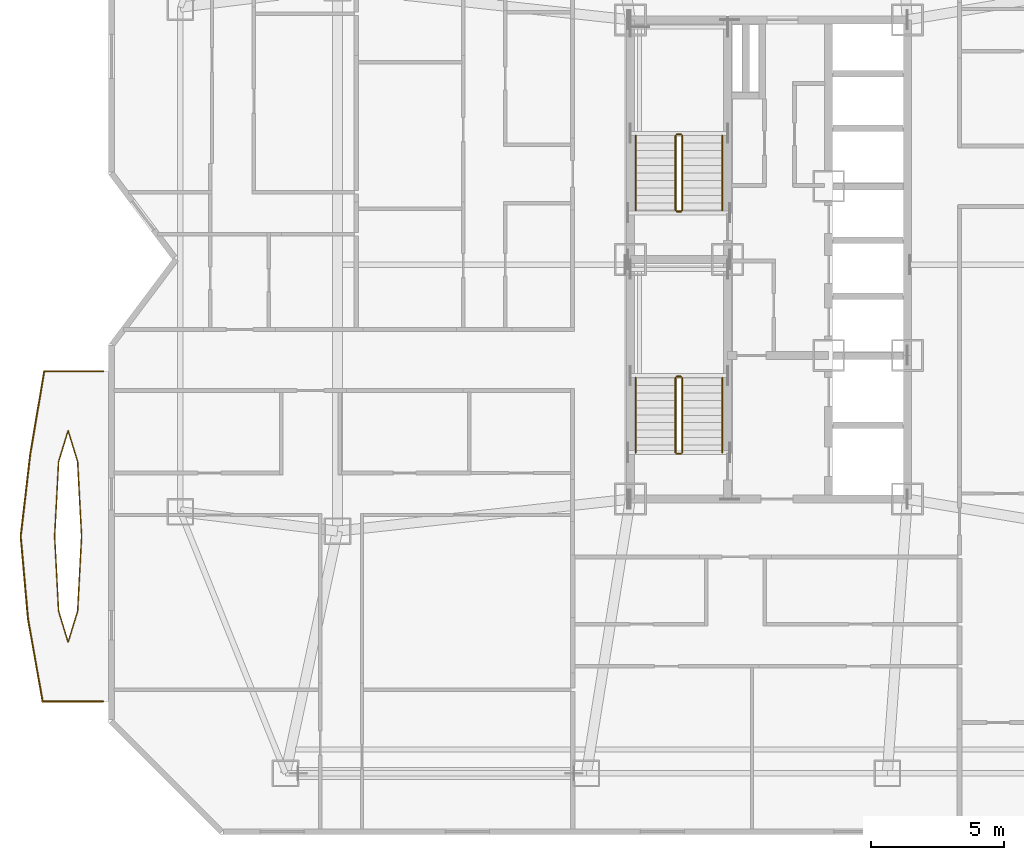
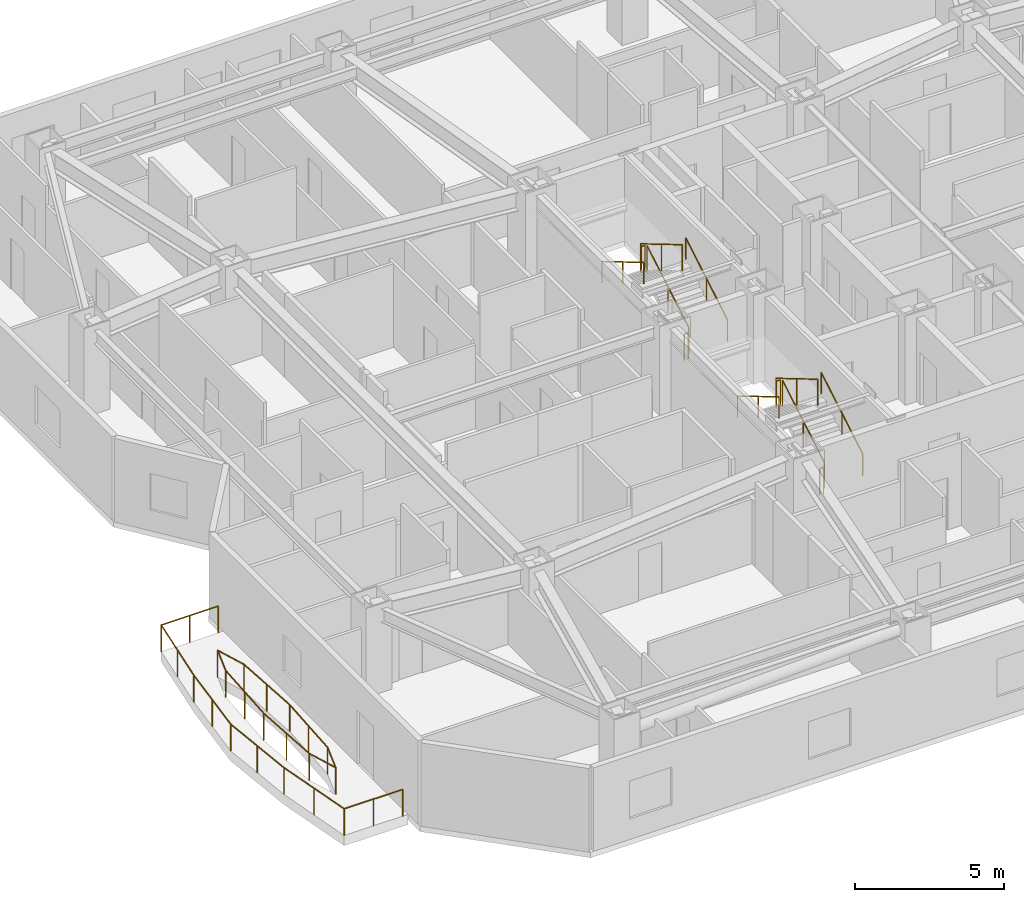
# One storey, part 14 of 15: 16 railings.
"""IFC4 building model written with IfcOpenShell, lengths in metres."""

from ifc_helpers import new_model, si_unit, direction, frame, origin, origin_2d, place, context, subcontext, project, spatial, circle, extrude, material, type_object, element, save


model = new_model("IFC4")

# Units and contexts
model_context = context("Model", 3, precision=1e-05, world=origin(), true_north=direction((0.0, 1.0)))
body_context = subcontext(model_context, "Body", "Model", "MODEL_VIEW")
ifc_project = project(units=[si_unit("LENGTHUNIT", "METRE"), si_unit("AREAUNIT", "SQUARE_METRE"), si_unit("VOLUMEUNIT", "CUBIC_METRE"), si_unit("PLANEANGLEUNIT", "RADIAN"), si_unit("MASSUNIT", "GRAM", prefix="KILO")], contexts=[model_context])

# Site, building, storey
site_placement = place(None, origin())
site = spatial("IfcSite", under=ifc_project, at=site_placement, CompositionType="ELEMENT")
building_placement = place(site_placement, origin())
building = spatial("IfcBuilding", under=site, at=building_placement, Name="Khamvora Tower", CompositionType="ELEMENT")
storey_placement = place(building_placement, frame((0.0, 0.0, 112.85009765625)))
storey = spatial("IfcBuildingStorey", under=building, at=storey_placement, Name="L28", CompositionType="ELEMENT", Elevation=112.85009765625)

# Railings
ifc_material_1 = material(Name="Stainless Steel 316 and Laminated Glass", Category="steel")
railing_type_1 = type_object("IfcRailingType", Name="RAL-GAL-1120", PredefinedType="GUARDRAIL", material=ifc_material_1)
railing_1_placement = place(storey_placement, frame((9.199951171875, 11.39990234375, 0.0)))
element("IfcRailing", 1, at=railing_1_placement, inside=storey, type_object=railing_type_1, Name="L28 lens gallery south perimeter guardrail WL1", PredefinedType="GUARDRAIL", context=body_context, shape_type="SweptSolid", body=[
    extrude(circle(Radius=0.02392578125, at=origin_2d()), frame((0.0, 0.0, 1.09619140625), z_axis=(-1.0, 0.0, 0.0), x_axis=(0.0, -1.0, 0.0)), (0.0, 0.0, 1.0), 2.27294921875),
    extrude(circle(Radius=0.02392578125, at=origin_2d()), frame((-2.27294921875, 0.0, 1.09619140625), z_axis=(-0.17470092463, 0.984621545028, 0.0), x_axis=(-0.984621545028, -0.17470092463, 0.0)), (0.0, 0.0, 1.0), 3.1484375),
    extrude(circle(Radius=0.02392578125, at=origin_2d()), frame((-2.822998046875, 3.10009765625, 1.09619140625), z_axis=(-0.088328783079, 0.996091374363, 0.0), x_axis=(-0.996091374363, -0.088328783079, 0.0)), (0.0, 0.0, 1.0), 3.1123046875),
    extrude(circle(Radius=0.02099609375, at=origin_2d()), origin(), (0.0, 0.0, 1.0), 1.072021484375),
    extrude(circle(Radius=0.02099609375, at=origin_2d()), frame((-1.136474609375, 0.0, 0.0)), (0.0, 0.0, 1.0), 1.072021484375),
    extrude(circle(Radius=0.02099609375, at=origin_2d()), frame((-2.27294921875, 0.0, 0.0)), (0.0, 0.0, 1.0), 1.072021484375),
    extrude(circle(Radius=0.02099609375, at=origin_2d()), frame((-2.5478515625, 1.550048828125, 0.0)), (0.0, 0.0, 1.0), 1.072021484375),
    extrude(circle(Radius=0.02099609375, at=origin_2d()), frame((-2.822998046875, 3.10009765625, 0.0)), (0.0, 0.0, 1.0), 1.072021484375),
    extrude(circle(Radius=0.02099609375, at=origin_2d()), frame((-2.96044921875, 4.650146484375, 0.0)), (0.0, 0.0, 1.0), 1.072021484375),
    extrude(circle(Radius=0.02099609375, at=origin_2d()), frame((-3.097900390625, 6.2001953125, 0.0)), (0.0, 0.0, 1.0), 1.072021484375),
])
railing_2_placement = place(storey_placement, frame((6.10205078125, 17.60009765625, 0.0)))
element("IfcRailing", 2, at=railing_2_placement, inside=storey, type_object=railing_type_1, Name="L28 lens gallery north perimeter guardrail WL1", PredefinedType="GUARDRAIL", context=body_context, shape_type="SweptSolid", body=[
    extrude(circle(Radius=0.02392578125, at=origin_2d()), frame((0.0, 0.0, 1.09619140625), z_axis=(0.115315959955, 0.993328862653, 0.0), x_axis=(-0.993328862653, 0.115315959955, 0.0)), (0.0, 0.0, 1.0), 3.12060546875),
    extrude(circle(Radius=0.02392578125, at=origin_2d()), frame((0.35986328125, 3.099853515625, 1.09619140625), z_axis=(0.166715454469, 0.986005049298, 0.0), x_axis=(-0.986005049298, 0.166715454469, 0.0)), (0.0, 0.0, 1.0), 3.14404296875),
    extrude(circle(Radius=0.02392578125, at=origin_2d()), frame((0.884033203125, 6.199951171875, 1.09619140625), z_axis=(1.0, 0.0, 0.0), x_axis=(0.0, 1.0, 0.0)), (0.0, 0.0, 1.0), 2.2138671875),
    extrude(circle(Radius=0.02099609375, at=origin_2d()), origin(), (0.0, 0.0, 1.0), 1.072021484375),
    extrude(circle(Radius=0.02099609375, at=origin_2d()), frame((0.179931640625, 1.5498046875, 0.0)), (0.0, 0.0, 1.0), 1.072021484375),
    extrude(circle(Radius=0.02099609375, at=origin_2d()), frame((0.35986328125, 3.099853515625, 0.0)), (0.0, 0.0, 1.0), 1.072021484375),
    extrude(circle(Radius=0.02099609375, at=origin_2d()), frame((0.6220703125, 4.64990234375, 0.0)), (0.0, 0.0, 1.0), 1.072021484375),
    extrude(circle(Radius=0.02099609375, at=origin_2d()), frame((0.884033203125, 6.199951171875, 0.0)), (0.0, 0.0, 1.0), 1.072021484375),
    extrude(circle(Radius=0.02099609375, at=origin_2d()), frame((1.990966796875, 6.199951171875, 0.0)), (0.0, 0.0, 1.0), 1.072021484375),
    extrude(circle(Radius=0.02099609375, at=origin_2d()), frame((3.097900390625, 6.199951171875, 0.0)), (0.0, 0.0, 1.0), 1.072021484375),
])
railing_3_placement = place(storey_placement, frame((8.388916015625, 17.60009765625, 0.0)))
element("IfcRailing", 3, at=railing_3_placement, inside=storey, type_object=railing_type_1, Name="L28 lens gallery void guardrail WL1A", PredefinedType="GUARDRAIL", context=body_context, shape_type="SweptSolid", body=[
    extrude(circle(Radius=0.02392578125, at=origin_2d()), frame((0.0, 0.0, 1.09619140625), z_axis=(-0.052654602562, 0.998612784231, 0.0), x_axis=(-0.998612784231, -0.052654602562, 0.0)), (0.0, 0.0, 1.0), 2.809814453125),
    extrude(circle(Radius=0.02392578125, at=origin_2d()), frame((-0.14794921875, 2.805908203125, 1.09619140625), z_axis=(-0.292871691974, 0.956151751575, 0.0), x_axis=(-0.956151751575, -0.292871691974, 0.0)), (0.0, 0.0, 1.0), 1.21533203125),
    extrude(circle(Radius=0.02392578125, at=origin_2d()), frame((-0.50390625, 3.968017578125, 1.09619140625), z_axis=(-0.292871691974, -0.956151751575, 0.0), x_axis=(0.956151751575, -0.292871691974, 0.0)), (0.0, 0.0, 1.0), 1.21533203125),
    extrude(circle(Radius=0.02392578125, at=origin_2d()), frame((-0.85986328125, 2.805908203125, 1.09619140625), z_axis=(-0.052654602562, -0.998612784231, 0.0), x_axis=(0.998612784231, -0.052654602562, 0.0)), (0.0, 0.0, 1.0), 2.809814453125),
    extrude(circle(Radius=0.02099609375, at=origin_2d()), origin(), (0.0, 0.0, 1.0), 1.072021484375),
    extrude(circle(Radius=0.02099609375, at=origin_2d()), frame((-0.073974609375, 1.40283203125, 0.0)), (0.0, 0.0, 1.0), 1.072021484375),
    extrude(circle(Radius=0.02099609375, at=origin_2d()), frame((-0.14794921875, 2.805908203125, 0.0)), (0.0, 0.0, 1.0), 1.072021484375),
    extrude(circle(Radius=0.02099609375, at=origin_2d()), frame((-0.50390625, 3.968017578125, 0.0)), (0.0, 0.0, 1.0), 1.072021484375),
    extrude(circle(Radius=0.02099609375, at=origin_2d()), frame((-0.85986328125, 2.805908203125, 0.0)), (0.0, 0.0, 1.0), 1.072021484375),
    extrude(circle(Radius=0.02099609375, at=origin_2d()), frame((-0.933837890625, 1.40283203125, 0.0)), (0.0, 0.0, 1.0), 1.072021484375),
    extrude(circle(Radius=0.02099609375, at=origin_2d()), frame((-1.0078125, 0.0, 0.0)), (0.0, 0.0, 1.0), 1.072021484375),
])
railing_4_placement = place(storey_placement, frame((7.381103515625, 17.60009765625, 0.0)))
element("IfcRailing", 4, at=railing_4_placement, inside=storey, type_object=railing_type_1, Name="L28 lens gallery void guardrail WL1B", PredefinedType="GUARDRAIL", context=body_context, shape_type="SweptSolid", body=[
    extrude(circle(Radius=0.02392578125, at=origin_2d()), frame((0.0, 0.0, 1.09619140625), z_axis=(0.05265003421, -0.998613025099, 0.0), x_axis=(0.998613025099, 0.05265003421, 0.0)), (0.0, 0.0, 1.0), 2.81005859375),
    extrude(circle(Radius=0.02392578125, at=origin_2d()), frame((0.14794921875, -2.80615234375, 1.09619140625), z_axis=(0.292927952476, -0.956134517031, 0.0), x_axis=(0.956134517031, 0.292927952476, 0.0)), (0.0, 0.0, 1.0), 1.215087890625),
    extrude(circle(Radius=0.02392578125, at=origin_2d()), frame((0.50390625, -3.968017578125, 1.09619140625), z_axis=(0.292927952476, 0.956134517031, 0.0), x_axis=(-0.956134517031, 0.292927952476, 0.0)), (0.0, 0.0, 1.0), 1.215087890625),
    extrude(circle(Radius=0.02392578125, at=origin_2d()), frame((0.85986328125, -2.80615234375, 1.09619140625), z_axis=(0.05265003421, 0.998613025099, 0.0), x_axis=(-0.998613025099, 0.05265003421, 0.0)), (0.0, 0.0, 1.0), 2.81005859375),
    extrude(circle(Radius=0.02099609375, at=origin_2d()), origin(), (0.0, 0.0, 1.0), 1.072021484375),
    extrude(circle(Radius=0.02099609375, at=origin_2d()), frame((0.073974609375, -1.403076171875, 0.0)), (0.0, 0.0, 1.0), 1.072021484375),
    extrude(circle(Radius=0.02099609375, at=origin_2d()), frame((0.14794921875, -2.80615234375, 0.0)), (0.0, 0.0, 1.0), 1.072021484375),
    extrude(circle(Radius=0.02099609375, at=origin_2d()), frame((0.50390625, -3.968017578125, 0.0)), (0.0, 0.0, 1.0), 1.072021484375),
    extrude(circle(Radius=0.02099609375, at=origin_2d()), frame((0.85986328125, -2.80615234375, 0.0)), (0.0, 0.0, 1.0), 1.072021484375),
    extrude(circle(Radius=0.02099609375, at=origin_2d()), frame((0.933837890625, -1.403076171875, 0.0)), (0.0, 0.0, 1.0), 1.072021484375),
    extrude(circle(Radius=0.02099609375, at=origin_2d()), frame((1.0078125, 0.0, 0.0)), (0.0, 0.0, 1.0), 1.072021484375),
])
ifc_material_2 = material(Name="Brushed Stainless Steel 316", Category="steel")
railing_type_2 = type_object("IfcRailingType", Name="RAL-HDR-920", PredefinedType="HANDRAIL", material=ifc_material_2)
railing_5_placement = place(storey_placement, frame((32.449951171875, 20.75, 0.165771484375)))
element("IfcRailing", 5, at=railing_5_placement, inside=storey, type_object=railing_type_2, Name="L28 ST-01 stair handrail 1", PredefinedType="HANDRAIL", context=body_context, shape_type="SweptSolid", body=[
    extrude(circle(Radius=0.02392578125, at=origin_2d()), frame((0.0, 0.0, 0.8759765625), z_axis=(0.0, 0.860306154799, 0.50977771628), x_axis=(-1.0, 0.0, 0.0)), (0.0, 0.0, 1.0), 3.254638671875),
    extrude(circle(Radius=0.02099609375, at=origin_2d()), origin(), (0.0, 0.0, 1.0), 0.851806640625),
    extrude(circle(Radius=0.02099609375, at=origin_2d()), frame((0.0, 1.39990234375, 0.82958984375)), (0.0, 0.0, 1.0), 0.851806640625),
    extrude(circle(Radius=0.02099609375, at=origin_2d()), frame((0.0, 2.800048828125, 1.6591796875)), (0.0, 0.0, 1.0), 0.851806640625),
])
railing_6_placement = place(storey_placement, frame((29.199951171875, 23.550048828125, 1.99072265625)))
element("IfcRailing", 6, at=railing_6_placement, inside=storey, type_object=railing_type_2, Name="L28 ST-01 stair handrail 2", PredefinedType="HANDRAIL", context=body_context, shape_type="SweptSolid", body=[
    extrude(circle(Radius=0.02392578125, at=origin_2d()), frame((0.0, 0.0, 0.8759765625), z_axis=(0.0, -0.860306154799, 0.50977771628), x_axis=(1.0, 0.0, 0.0)), (0.0, 0.0, 1.0), 3.254638671875),
    extrude(circle(Radius=0.02099609375, at=origin_2d()), origin(), (0.0, 0.0, 1.0), 0.851806640625),
    extrude(circle(Radius=0.02099609375, at=origin_2d()), frame((0.0, -1.39990234375, 0.82958984375)), (0.0, 0.0, 1.0), 0.851806640625),
    extrude(circle(Radius=0.02099609375, at=origin_2d()), frame((0.0, -2.800048828125, 1.6591796875)), (0.0, 0.0, 1.0), 0.851806640625),
])
railing_7_placement = place(storey_placement, frame((32.449951171875, 29.85009765625, 0.165771484375)))
element("IfcRailing", 7, at=railing_7_placement, inside=storey, type_object=railing_type_2, Name="L28 ST-02 stair handrail 1", PredefinedType="HANDRAIL", context=body_context, shape_type="SweptSolid", body=[
    extrude(circle(Radius=0.02392578125, at=origin_2d()), frame((0.0, 0.0, 0.8759765625), z_axis=(0.0, 0.860286659441, 0.509810615413), x_axis=(-1.0, 0.0, 0.0)), (0.0, 0.0, 1.0), 3.25439453125),
    extrude(circle(Radius=0.02099609375, at=origin_2d()), origin(), (0.0, 0.0, 1.0), 0.851806640625),
    extrude(circle(Radius=0.02099609375, at=origin_2d()), frame((0.0, 1.39990234375, 0.82958984375)), (0.0, 0.0, 1.0), 0.851806640625),
    extrude(circle(Radius=0.02099609375, at=origin_2d()), frame((0.0, 2.7998046875, 1.6591796875)), (0.0, 0.0, 1.0), 0.851806640625),
])
railing_8_placement = place(storey_placement, frame((29.199951171875, 32.64990234375, 1.99072265625)))
element("IfcRailing", 8, at=railing_8_placement, inside=storey, type_object=railing_type_2, Name="L28 ST-02 stair handrail 2", PredefinedType="HANDRAIL", context=body_context, shape_type="SweptSolid", body=[
    extrude(circle(Radius=0.02392578125, at=origin_2d()), frame((0.0, 0.0, 0.8759765625), z_axis=(0.0, -0.860286659441, 0.509810615413), x_axis=(1.0, 0.0, 0.0)), (0.0, 0.0, 1.0), 3.25439453125),
    extrude(circle(Radius=0.02099609375, at=origin_2d()), origin(), (0.0, 0.0, 1.0), 0.851806640625),
    extrude(circle(Radius=0.02099609375, at=origin_2d()), frame((0.0, -1.39990234375, 0.82958984375)), (0.0, 0.0, 1.0), 0.851806640625),
    extrude(circle(Radius=0.02099609375, at=origin_2d()), frame((0.0, -2.7998046875, 1.6591796875)), (0.0, 0.0, 1.0), 0.851806640625),
])
ifc_material_3 = material(Name="Stainless Steel 316", Category="steel")
railing_type_3 = type_object("IfcRailingType", Name="RAL-STG-1100", PredefinedType="GUARDRAIL", material=ifc_material_3)
railing_9_placement = place(storey_placement, frame((30.949951171875, 20.75, 0.165771484375)))
element("IfcRailing", 9, at=railing_9_placement, inside=storey, type_object=railing_type_3, Name="L28 ST-01 stair guard 1", PredefinedType="GUARDRAIL", context=body_context, shape_type="SweptSolid", body=[
    extrude(circle(Radius=0.02392578125, at=origin_2d()), frame((0.0, 0.0, 1.076171875), z_axis=(0.0, 0.860306154799, 0.50977771628), x_axis=(-1.0, 0.0, 0.0)), (0.0, 0.0, 1.0), 3.254638671875),
    extrude(circle(Radius=0.02099609375, at=origin_2d()), origin(), (0.0, 0.0, 1.0), 1.052001953125),
    extrude(circle(Radius=0.02099609375, at=origin_2d()), frame((0.0, 1.39990234375, 0.82958984375)), (0.0, 0.0, 1.0), 1.052001953125),
    extrude(circle(Radius=0.02099609375, at=origin_2d()), frame((0.0, 2.800048828125, 1.6591796875)), (0.0, 0.0, 1.0), 1.052001953125),
])
railing_10_placement = place(storey_placement, frame((30.89990234375, 23.60009765625, 1.824951171875)))
element("IfcRailing", 10, at=railing_10_placement, inside=storey, type_object=railing_type_3, Name="L28 ST-01 stair guard 2", PredefinedType="GUARDRAIL", context=body_context, shape_type="SweptSolid", body=[
    extrude(circle(Radius=0.02392578125, at=origin_2d()), frame((0.0, 0.0, 1.076171875), z_axis=(-1.0, 0.0, 0.0), x_axis=(0.0, -1.0, 0.0)), (0.0, 0.0, 1.0), 0.14990234375),
    extrude(circle(Radius=0.02099609375, at=origin_2d()), origin(), (0.0, 0.0, 1.0), 1.052001953125),
    extrude(circle(Radius=0.02099609375, at=origin_2d()), frame((-0.14990234375, 0.0, 0.0)), (0.0, 0.0, 1.0), 1.052001953125),
])
railing_11_placement = place(storey_placement, frame((30.699951171875, 23.550048828125, 1.99072265625)))
element("IfcRailing", 11, at=railing_11_placement, inside=storey, type_object=railing_type_3, Name="L28 ST-01 stair guard 3", PredefinedType="GUARDRAIL", context=body_context, shape_type="SweptSolid", body=[
    extrude(circle(Radius=0.02392578125, at=origin_2d()), frame((0.0, 0.0, 1.076171875), z_axis=(0.0, -0.860306154799, 0.50977771628), x_axis=(1.0, 0.0, 0.0)), (0.0, 0.0, 1.0), 3.254638671875),
    extrude(circle(Radius=0.02099609375, at=origin_2d()), origin(), (0.0, 0.0, 1.0), 1.052001953125),
    extrude(circle(Radius=0.02099609375, at=origin_2d()), frame((0.0, -1.39990234375, 0.82958984375)), (0.0, 0.0, 1.0), 1.052001953125),
    extrude(circle(Radius=0.02099609375, at=origin_2d()), frame((0.0, -2.800048828125, 1.6591796875)), (0.0, 0.0, 1.0), 1.052001953125),
])
railing_12_placement = place(storey_placement, frame((30.89990234375, 20.699951171875, 0.0)))
element("IfcRailing", 12, at=railing_12_placement, inside=storey, type_object=railing_type_3, Name="L28 ST-01 stair guard 4", PredefinedType="GUARDRAIL", context=body_context, shape_type="SweptSolid", body=[
    extrude(circle(Radius=0.02392578125, at=origin_2d()), frame((0.0, 0.0, 1.076171875), z_axis=(-1.0, 0.0, 0.0), x_axis=(0.0, -1.0, 0.0)), (0.0, 0.0, 1.0), 0.14990234375),
    extrude(circle(Radius=0.02099609375, at=origin_2d()), origin(), (0.0, 0.0, 1.0), 1.052001953125),
    extrude(circle(Radius=0.02099609375, at=origin_2d()), frame((-0.14990234375, 0.0, 0.0)), (0.0, 0.0, 1.0), 1.052001953125),
])
railing_13_placement = place(storey_placement, frame((30.949951171875, 29.85009765625, 0.165771484375)))
element("IfcRailing", 13, at=railing_13_placement, inside=storey, type_object=railing_type_3, Name="L28 ST-02 stair guard 1", PredefinedType="GUARDRAIL", context=body_context, shape_type="SweptSolid", body=[
    extrude(circle(Radius=0.02392578125, at=origin_2d()), frame((0.0, 0.0, 1.076171875), z_axis=(0.0, 0.860286659441, 0.509810615413), x_axis=(-1.0, 0.0, 0.0)), (0.0, 0.0, 1.0), 3.25439453125),
    extrude(circle(Radius=0.02099609375, at=origin_2d()), origin(), (0.0, 0.0, 1.0), 1.052001953125),
    extrude(circle(Radius=0.02099609375, at=origin_2d()), frame((0.0, 1.39990234375, 0.82958984375)), (0.0, 0.0, 1.0), 1.052001953125),
    extrude(circle(Radius=0.02099609375, at=origin_2d()), frame((0.0, 2.7998046875, 1.6591796875)), (0.0, 0.0, 1.0), 1.052001953125),
])
railing_14_placement = place(storey_placement, frame((30.89990234375, 32.699951171875, 1.824951171875)))
element("IfcRailing", 14, at=railing_14_placement, inside=storey, type_object=railing_type_3, Name="L28 ST-02 stair guard 2", PredefinedType="GUARDRAIL", context=body_context, shape_type="SweptSolid", body=[
    extrude(circle(Radius=0.02392578125, at=origin_2d()), frame((0.0, 0.0, 1.076171875), z_axis=(-1.0, 0.0, 0.0), x_axis=(0.0, -1.0, 0.0)), (0.0, 0.0, 1.0), 0.14990234375),
    extrude(circle(Radius=0.02099609375, at=origin_2d()), origin(), (0.0, 0.0, 1.0), 1.052001953125),
    extrude(circle(Radius=0.02099609375, at=origin_2d()), frame((-0.14990234375, 0.0, 0.0)), (0.0, 0.0, 1.0), 1.052001953125),
])
railing_15_placement = place(storey_placement, frame((30.699951171875, 32.64990234375, 1.99072265625)))
element("IfcRailing", 15, at=railing_15_placement, inside=storey, type_object=railing_type_3, Name="L28 ST-02 stair guard 3", PredefinedType="GUARDRAIL", context=body_context, shape_type="SweptSolid", body=[
    extrude(circle(Radius=0.02392578125, at=origin_2d()), frame((0.0, 0.0, 1.076171875), z_axis=(0.0, -0.860286659441, 0.509810615413), x_axis=(1.0, 0.0, 0.0)), (0.0, 0.0, 1.0), 3.25439453125),
    extrude(circle(Radius=0.02099609375, at=origin_2d()), origin(), (0.0, 0.0, 1.0), 1.052001953125),
    extrude(circle(Radius=0.02099609375, at=origin_2d()), frame((0.0, -1.39990234375, 0.82958984375)), (0.0, 0.0, 1.0), 1.052001953125),
    extrude(circle(Radius=0.02099609375, at=origin_2d()), frame((0.0, -2.7998046875, 1.6591796875)), (0.0, 0.0, 1.0), 1.052001953125),
])
railing_16_placement = place(storey_placement, frame((30.89990234375, 29.800048828125, 0.0)))
element("IfcRailing", 16, at=railing_16_placement, inside=storey, type_object=railing_type_3, Name="L28 ST-02 stair guard 4", PredefinedType="GUARDRAIL", context=body_context, shape_type="SweptSolid", body=[
    extrude(circle(Radius=0.02392578125, at=origin_2d()), frame((0.0, 0.0, 1.076171875), z_axis=(-1.0, 0.0, 0.0), x_axis=(0.0, -1.0, 0.0)), (0.0, 0.0, 1.0), 0.14990234375),
    extrude(circle(Radius=0.02099609375, at=origin_2d()), origin(), (0.0, 0.0, 1.0), 1.052001953125),
    extrude(circle(Radius=0.02099609375, at=origin_2d()), frame((-0.14990234375, 0.0, 0.0)), (0.0, 0.0, 1.0), 1.052001953125),
])

save(model, "model.ifc")
